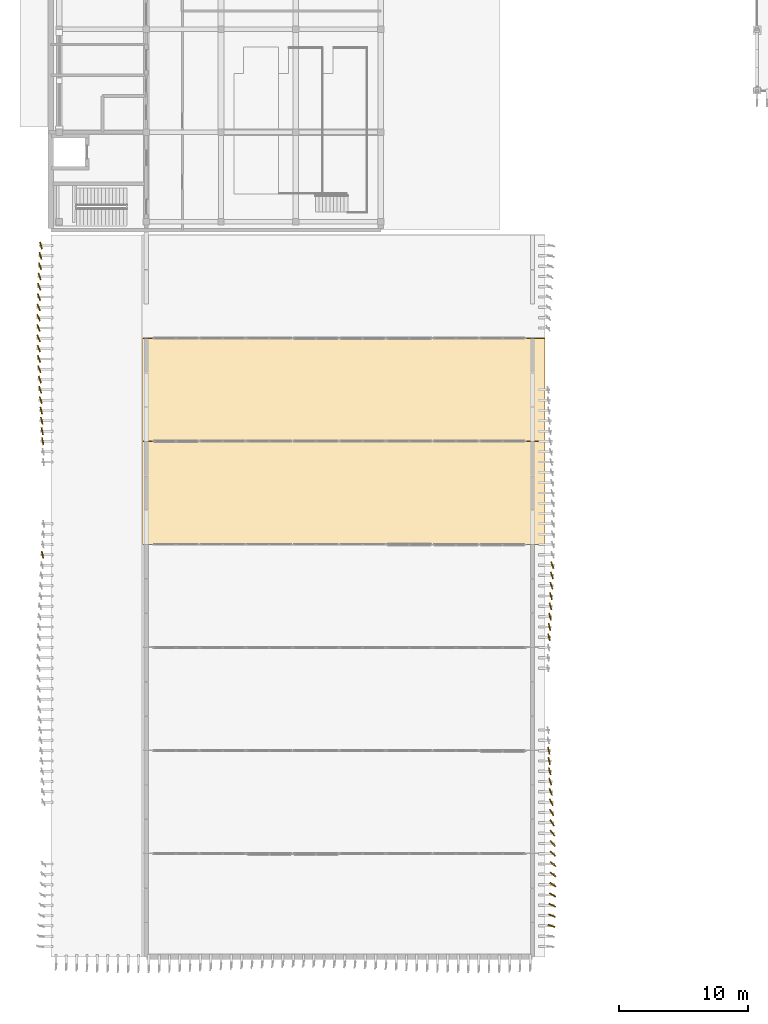
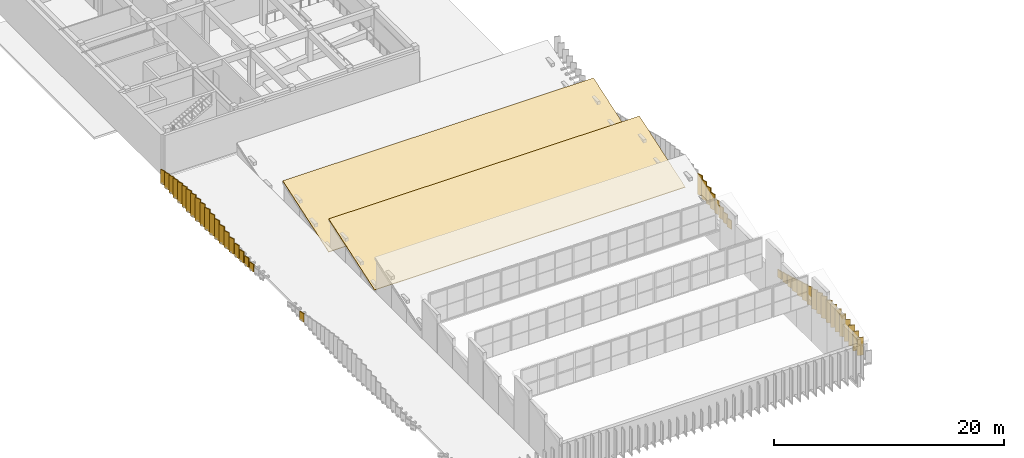
# One storey, part 37 of 45: 49 coverings.
"""IFC4 building model written with IfcOpenShell, lengths in metres."""

from ifc_helpers import new_model, si_unit, direction, frame, origin, origin_2d, place, context, subcontext, project, spatial, polyline, rectangle, outline, extrude, material, layer, layer_set, type_object, element, save


model = new_model("IFC4")

# Units and contexts
model_context = context("Model", 3, precision=1e-05, world=origin(), true_north=direction((0.0, 1.0)))
body_context = subcontext(model_context, "Body", "Model", "MODEL_VIEW")
ifc_project = project(units=[si_unit("LENGTHUNIT", "METRE"), si_unit("AREAUNIT", "SQUARE_METRE"), si_unit("VOLUMEUNIT", "CUBIC_METRE"), si_unit("PLANEANGLEUNIT", "RADIAN"), si_unit("MASSUNIT", "GRAM", prefix="KILO")], contexts=[model_context])

# Site, building, storey
site_placement = place(None, origin())
site = spatial("IfcSite", under=ifc_project, at=site_placement, CompositionType="ELEMENT")
building_placement = place(site_placement, origin())
building = spatial("IfcBuilding", under=site, at=building_placement, Name="Cinchona Park Media Centre", CompositionType="ELEMENT")
storey_placement = place(building_placement, frame((0.0, 0.0, 20.39990234375)))
storey = spatial("IfcBuildingStorey", under=building, at=storey_placement, Name="L04", CompositionType="ELEMENT", Elevation=20.39990234375)

# Coverings
ifc_material_1 = material(Name="Anodised Storm-Resistant Aluminium Fin", Category="aluminium")
ifc_layer_1 = layer(ifc_material_1, 0.090087890625)
ifc_layer_set_1 = layer_set([ifc_layer_1], Name="Anodised Storm-Resistant Aluminium Fin")
covering_type_1 = type_object("IfcCoveringType", Name="CLADDING-FIN01", PredefinedType="CLADDING", material=ifc_layer_set_1)
covering_1_placement = place(storey_placement, frame((7.22998046875, 62.800048828125, 0.0), z_axis=(0.0, 0.0, 1.0), x_axis=(0.270096344686, -0.962833300518, 0.0)))
element("IfcCovering", 1, at=covering_1_placement, inside=storey, type_object=covering_type_1, Name="Twisting Vertical Facade Fin L04", PredefinedType="CLADDING", context=body_context, shape_type="SweptSolid", body=[
    extrude(rectangle(XDim=0.56005859375, YDim=0.090087890625, at=origin_2d()), origin(), (0.0, 0.0, 1.0), 1.501953125),
])
covering_2_placement = place(storey_placement, frame((7.19091796875, 62.0, 0.0), z_axis=(0.0, 0.0, 1.0), x_axis=(0.291870944669, -0.956457710334, 0.0)))
element("IfcCovering", 2, at=covering_2_placement, inside=storey, type_object=covering_type_1, Name="Twisting Vertical Facade Fin L04", PredefinedType="CLADDING", context=body_context, shape_type="SweptSolid", body=[
    extrude(rectangle(XDim=0.56005859375, YDim=0.090087890625, at=origin_2d()), origin(), (0.0, 0.0, 1.0), 1.701904296875),
])
covering_3_placement = place(storey_placement, frame((7.154052734375, 61.199951171875, 0.00048828125), z_axis=(0.0, 0.0, 1.0), x_axis=(0.312500715155, -0.949917524329, 0.0)))
element("IfcCovering", 3, at=covering_3_placement, inside=storey, type_object=covering_type_1, Name="Twisting Vertical Facade Fin L04", PredefinedType="CLADDING", context=body_context, shape_type="SweptSolid", body=[
    extrude(rectangle(XDim=0.56005859375, YDim=0.090087890625, at=origin_2d()), origin(), (0.0, 0.0, 1.0), 1.89111328125),
])
covering_4_placement = place(storey_placement, frame((7.1201171875, 60.39990234375, -0.00048828125), z_axis=(0.0, 0.0, 1.0), x_axis=(0.331008520407, -0.943627765286, 0.0)))
element("IfcCovering", 4, at=covering_4_placement, inside=storey, type_object=covering_type_1, Name="Twisting Vertical Facade Fin L04", PredefinedType="CLADDING", context=body_context, shape_type="SweptSolid", body=[
    extrude(rectangle(XDim=0.56005859375, YDim=0.090087890625, at=origin_2d()), origin(), (0.0, 0.0, 1.0), 2.06298828125),
])
covering_5_placement = place(storey_placement, frame((7.091064453125, 59.60009765625, -0.00048828125), z_axis=(0.0, 0.0, 1.0), x_axis=(0.346771953791, -0.937949472021, 0.0)))
element("IfcCovering", 5, at=covering_5_placement, inside=storey, type_object=covering_type_1, Name="Twisting Vertical Facade Fin L04", PredefinedType="CLADDING", context=body_context, shape_type="SweptSolid", body=[
    extrude(rectangle(XDim=0.56005859375, YDim=0.090087890625, at=origin_2d()), origin(), (0.0, 0.0, 1.0), 2.2109375),
])
covering_6_placement = place(storey_placement, frame((7.068115234375, 58.800048828125, -0.00048828125), z_axis=(0.0, 0.0, 1.0), x_axis=(0.359345396006, -0.933204632634, 0.0)))
element("IfcCovering", 6, at=covering_6_placement, inside=storey, type_object=covering_type_1, Name="Twisting Vertical Facade Fin L04", PredefinedType="CLADDING", context=body_context, shape_type="SweptSolid", body=[
    extrude(rectangle(XDim=0.56005859375, YDim=0.090087890625, at=origin_2d()), origin(), (0.0, 0.0, 1.0), 2.3291015625),
])
covering_7_placement = place(storey_placement, frame((7.052001953125, 58.0, 0.0), z_axis=(0.0, 0.0, 1.0), x_axis=(0.36844908347, -0.929647929536, 0.0)))
element("IfcCovering", 7, at=covering_7_placement, inside=storey, type_object=covering_type_1, Name="Twisting Vertical Facade Fin L04", PredefinedType="CLADDING", context=body_context, shape_type="SweptSolid", body=[
    extrude(rectangle(XDim=0.56005859375, YDim=0.090087890625, at=origin_2d()), origin(), (0.0, 0.0, 1.0), 2.4140625),
])
covering_8_placement = place(storey_placement, frame((7.0419921875, 57.199951171875, 0.000244140625), z_axis=(0.0, 0.0, 1.0), x_axis=(0.373473545352, -0.927640830776, 0.0)))
element("IfcCovering", 8, at=covering_8_placement, inside=storey, type_object=covering_type_1, Name="Twisting Vertical Facade Fin L04", PredefinedType="CLADDING", context=body_context, shape_type="SweptSolid", body=[
    extrude(rectangle(XDim=0.56005859375, YDim=0.090087890625, at=origin_2d()), origin(), (0.0, 0.0, 1.0), 2.4619140625),
])
covering_9_placement = place(storey_placement, frame((7.0400390625, 56.39990234375, 0.00048828125), z_axis=(0.0, 0.0, 1.0), x_axis=(0.374444763601, -0.927249221629, 0.0)))
element("IfcCovering", 9, at=covering_9_placement, inside=storey, type_object=covering_type_1, Name="Twisting Vertical Facade Fin L04", PredefinedType="CLADDING", context=body_context, shape_type="SweptSolid", body=[
    extrude(rectangle(XDim=0.56005859375, YDim=0.090087890625, at=origin_2d()), origin(), (0.0, 0.0, 1.0), 2.470947265625),
])
covering_10_placement = place(storey_placement, frame((7.0458984375, 55.60009765625, 0.000244140625), z_axis=(0.0, 0.0, 1.0), x_axis=(0.37136783555, -0.928485826881, 0.0)))
element("IfcCovering", 10, at=covering_10_placement, inside=storey, type_object=covering_type_1, Name="Twisting Vertical Facade Fin L04", PredefinedType="CLADDING", context=body_context, shape_type="SweptSolid", body=[
    extrude(rectangle(XDim=0.56005859375, YDim=0.090087890625, at=origin_2d()), origin(), (0.0, 0.0, 1.0), 2.44189453125),
])
covering_11_placement = place(storey_placement, frame((7.05908203125, 54.800048828125, 0.0), z_axis=(0.0, 0.0, 1.0), x_axis=(0.364389234658, -0.931246737264, 0.0)))
element("IfcCovering", 11, at=covering_11_placement, inside=storey, type_object=covering_type_1, Name="Twisting Vertical Facade Fin L04", PredefinedType="CLADDING", context=body_context, shape_type="SweptSolid", body=[
    extrude(rectangle(XDim=0.56005859375, YDim=0.090087890625, at=origin_2d()), origin(), (0.0, 0.0, 1.0), 2.3759765625),
])
covering_12_placement = place(storey_placement, frame((7.0791015625, 54.0, 0.000244140625), z_axis=(0.0, 0.0, 1.0), x_axis=(0.353474843779, -0.93544403083, 0.0)))
element("IfcCovering", 12, at=covering_12_placement, inside=storey, type_object=covering_type_1, Name="Twisting Vertical Facade Fin L04", PredefinedType="CLADDING", context=body_context, shape_type="SweptSolid", body=[
    extrude(rectangle(XDim=0.56005859375, YDim=0.090087890625, at=origin_2d()), origin(), (0.0, 0.0, 1.0), 2.27392578125),
])
covering_13_placement = place(storey_placement, frame((7.10498046875, 53.199951171875, 0.0), z_axis=(0.0, 0.0, 1.0), x_axis=(0.339230517808, -0.940703277228, 0.0)))
element("IfcCovering", 13, at=covering_13_placement, inside=storey, type_object=covering_type_1, Name="Twisting Vertical Facade Fin L04", PredefinedType="CLADDING", context=body_context, shape_type="SweptSolid", body=[
    extrude(rectangle(XDim=0.56005859375, YDim=0.090087890625, at=origin_2d()), origin(), (0.0, 0.0, 1.0), 2.139892578125),
])
covering_14_placement = place(storey_placement, frame((7.135986328125, 52.39990234375, 0.0), z_axis=(0.0, 0.0, 1.0), x_axis=(0.321935232675, -0.946761694389, 0.0)))
element("IfcCovering", 14, at=covering_14_placement, inside=storey, type_object=covering_type_1, Name="Twisting Vertical Facade Fin L04", PredefinedType="CLADDING", context=body_context, shape_type="SweptSolid", body=[
    extrude(rectangle(XDim=0.56005859375, YDim=0.090087890625, at=origin_2d()), origin(), (0.0, 0.0, 1.0), 1.97998046875),
])
covering_15_placement = place(storey_placement, frame((7.172119140625, 51.60009765625, 0.00048828125), z_axis=(0.0, 0.0, 1.0), x_axis=(0.30236989075, -0.953190667793, 0.0)))
element("IfcCovering", 15, at=covering_15_placement, inside=storey, type_object=covering_type_1, Name="Twisting Vertical Facade Fin L04", PredefinedType="CLADDING", context=body_context, shape_type="SweptSolid", body=[
    extrude(rectangle(XDim=0.56005859375, YDim=0.090087890625, at=origin_2d()), origin(), (0.0, 0.0, 1.0), 1.799072265625),
])
covering_16_placement = place(storey_placement, frame((7.2099609375, 50.800048828125, -0.00048828125), z_axis=(0.0, 0.0, 1.0), x_axis=(0.281001727065, -0.959707262339, 0.0)))
element("IfcCovering", 16, at=covering_16_placement, inside=storey, type_object=covering_type_1, Name="Twisting Vertical Facade Fin L04", PredefinedType="CLADDING", context=body_context, shape_type="SweptSolid", body=[
    extrude(rectangle(XDim=0.56005859375, YDim=0.090087890625, at=origin_2d()), origin(), (0.0, 0.0, 1.0), 1.60302734375),
])
covering_17_placement = place(storey_placement, frame((7.25, 50.0, 0.000244140625), z_axis=(0.0, 0.0, 1.0), x_axis=(0.258819045103, -0.965925826289, 0.0)))
element("IfcCovering", 17, at=covering_17_placement, inside=storey, type_object=covering_type_1, Name="Twisting Vertical Facade Fin L04", PredefinedType="CLADDING", context=body_context, shape_type="SweptSolid", body=[
    extrude(rectangle(XDim=0.56005859375, YDim=0.090087890625, at=origin_2d()), origin(), (0.0, 0.0, 1.0), 1.39990234375),
])
covering_18_placement = place(storey_placement, frame((7.2900390625, 49.199951171875, -0.00048828125), z_axis=(0.0, 0.0, 1.0), x_axis=(0.236498997024, -0.971631732915, 0.0)))
element("IfcCovering", 18, at=covering_18_placement, inside=storey, type_object=covering_type_1, Name="Twisting Vertical Facade Fin L04", PredefinedType="CLADDING", context=body_context, shape_type="SweptSolid", body=[
    extrude(rectangle(XDim=0.56005859375, YDim=0.090087890625, at=origin_2d()), origin(), (0.0, 0.0, 1.0), 1.197021484375),
])
covering_19_placement = place(storey_placement, frame((7.327880859375, 48.39990234375, 0.00048828125), z_axis=(0.0, 0.0, 1.0), x_axis=(0.214735327167, -0.976672278334, 0.0)))
element("IfcCovering", 19, at=covering_19_placement, inside=storey, type_object=covering_type_1, Name="Twisting Vertical Facade Fin L04", PredefinedType="CLADDING", context=body_context, shape_type="SweptSolid", body=[
    extrude(rectangle(XDim=0.56005859375, YDim=0.090087890625, at=origin_2d()), origin(), (0.0, 0.0, 1.0), 1.0009765625),
])
covering_20_placement = place(storey_placement, frame((7.364013671875, 47.60009765625, 0.0), z_axis=(0.0, 0.0, 1.0), x_axis=(0.194576757325, -0.980887295008, 0.0)))
element("IfcCovering", 20, at=covering_20_placement, inside=storey, type_object=covering_type_1, Name="Twisting Vertical Facade Fin L04", PredefinedType="CLADDING", context=body_context, shape_type="SweptSolid", body=[
    extrude(rectangle(XDim=0.56005859375, YDim=0.090087890625, at=origin_2d()), origin(), (0.0, 0.0, 1.0), 0.820068359375),
])
covering_21_placement = place(storey_placement, frame((7.345947265625, 38.800048828125, 0.00048828125), z_axis=(0.0, 0.0, 1.0), x_axis=(0.204325204139, -0.978903065147, 0.0)))
element("IfcCovering", 21, at=covering_21_placement, inside=storey, type_object=covering_type_1, Name="Twisting Vertical Facade Fin L04", PredefinedType="CLADDING", context=body_context, shape_type="SweptSolid", body=[
    extrude(rectangle(XDim=0.56005859375, YDim=0.090087890625, at=origin_2d()), origin(), (0.0, 0.0, 1.0), 0.908935546875),
])
covering_22_placement = place(storey_placement, frame((46.845947265625, 10.0, 0.00048828125), z_axis=(0.0, 0.0, 1.0), x_axis=(-0.943454320287, 0.331502557353, 0.0)))
element("IfcCovering", 22, at=covering_22_placement, inside=storey, type_object=covering_type_1, Name="Twisting Vertical Facade Fin L04", PredefinedType="CLADDING", context=body_context, shape_type="SweptSolid", body=[
    extrude(rectangle(XDim=0.56005859375, YDim=0.090087890625, at=origin_2d()), origin(), (0.0, 0.0, 1.0), 1.89111328125),
])
covering_23_placement = place(storey_placement, frame((46.8798828125, 10.800048828125, -0.00048828125), z_axis=(0.0, 0.0, 1.0), x_axis=(-0.919821497322, 0.392337116604, 0.0)))
element("IfcCovering", 23, at=covering_23_placement, inside=storey, type_object=covering_type_1, Name="Twisting Vertical Facade Fin L04", PredefinedType="CLADDING", context=body_context, shape_type="SweptSolid", body=[
    extrude(rectangle(XDim=0.56005859375, YDim=0.090087890625, at=origin_2d()), origin(), (0.0, 0.0, 1.0), 2.06298828125),
])
covering_24_placement = place(storey_placement, frame((46.908935546875, 11.60009765625, -0.00048828125), z_axis=(0.0, 0.0, 1.0), x_axis=(-0.89219201375, 0.451656296979, 0.0)))
element("IfcCovering", 24, at=covering_24_placement, inside=storey, type_object=covering_type_1, Name="Twisting Vertical Facade Fin L04", PredefinedType="CLADDING", context=body_context, shape_type="SweptSolid", body=[
    extrude(rectangle(XDim=0.56005859375, YDim=0.090087890625, at=origin_2d()), origin(), (0.0, 0.0, 1.0), 2.2109375),
])
covering_25_placement = place(storey_placement, frame((46.931884765625, 12.39990234375, -0.00048828125), z_axis=(0.0, 0.0, 1.0), x_axis=(-0.860830858381, 0.508891180174, 0.0)))
element("IfcCovering", 25, at=covering_25_placement, inside=storey, type_object=covering_type_1, Name="Twisting Vertical Facade Fin L04", PredefinedType="CLADDING", context=body_context, shape_type="SweptSolid", body=[
    extrude(rectangle(XDim=0.56005859375, YDim=0.090087890625, at=origin_2d()), origin(), (0.0, 0.0, 1.0), 2.3291015625),
])
covering_26_placement = place(storey_placement, frame((46.947998046875, 13.199951171875, 0.0), z_axis=(0.0, 0.0, 1.0), x_axis=(-0.825704677814, 0.56410263697, 0.0)))
element("IfcCovering", 26, at=covering_26_placement, inside=storey, type_object=covering_type_1, Name="Twisting Vertical Facade Fin L04", PredefinedType="CLADDING", context=body_context, shape_type="SweptSolid", body=[
    extrude(rectangle(XDim=0.56005859375, YDim=0.090087890625, at=origin_2d()), origin(), (0.0, 0.0, 1.0), 2.4140625),
])
covering_27_placement = place(storey_placement, frame((46.9580078125, 14.0, 0.000244140625), z_axis=(0.0, 0.0, 1.0), x_axis=(-0.787150360167, 0.616761145412, 0.0)))
element("IfcCovering", 27, at=covering_27_placement, inside=storey, type_object=covering_type_1, Name="Twisting Vertical Facade Fin L04", PredefinedType="CLADDING", context=body_context, shape_type="SweptSolid", body=[
    extrude(rectangle(XDim=0.56005859375, YDim=0.090087890625, at=origin_2d()), origin(), (0.0, 0.0, 1.0), 2.4619140625),
])
covering_28_placement = place(storey_placement, frame((46.9599609375, 14.800048828125, 0.00048828125), z_axis=(0.0, 0.0, 1.0), x_axis=(-0.745243290547, 0.66679264985, 0.0)))
element("IfcCovering", 28, at=covering_28_placement, inside=storey, type_object=covering_type_1, Name="Twisting Vertical Facade Fin L04", PredefinedType="CLADDING", context=body_context, shape_type="SweptSolid", body=[
    extrude(rectangle(XDim=0.56005859375, YDim=0.090087890625, at=origin_2d()), origin(), (0.0, 0.0, 1.0), 2.470947265625),
])
covering_29_placement = place(storey_placement, frame((46.9541015625, 15.60009765625, 0.000244140625), z_axis=(0.0, 0.0, 1.0), x_axis=(-0.700037341608, 0.714106238843, 0.0)))
element("IfcCovering", 29, at=covering_29_placement, inside=storey, type_object=covering_type_1, Name="Twisting Vertical Facade Fin L04", PredefinedType="CLADDING", context=body_context, shape_type="SweptSolid", body=[
    extrude(rectangle(XDim=0.56005859375, YDim=0.090087890625, at=origin_2d()), origin(), (0.0, 0.0, 1.0), 2.44189453125),
])
covering_30_placement = place(storey_placement, frame((46.94091796875, 16.39990234375, 0.0), z_axis=(0.0, 0.0, 1.0), x_axis=(-0.651966074496, 0.758248137292, 0.0)))
element("IfcCovering", 30, at=covering_30_placement, inside=storey, type_object=covering_type_1, Name="Twisting Vertical Facade Fin L04", PredefinedType="CLADDING", context=body_context, shape_type="SweptSolid", body=[
    extrude(rectangle(XDim=0.56005859375, YDim=0.090087890625, at=origin_2d()), origin(), (0.0, 0.0, 1.0), 2.3759765625),
])
covering_31_placement = place(storey_placement, frame((46.9208984375, 17.199951171875, 0.000244140625), z_axis=(0.0, 0.0, 1.0), x_axis=(-0.600978364173, 0.79926529125, 0.0)))
element("IfcCovering", 31, at=covering_31_placement, inside=storey, type_object=covering_type_1, Name="Twisting Vertical Facade Fin L04", PredefinedType="CLADDING", context=body_context, shape_type="SweptSolid", body=[
    extrude(rectangle(XDim=0.56005859375, YDim=0.090087890625, at=origin_2d()), origin(), (0.0, 0.0, 1.0), 2.27392578125),
])
covering_32_placement = place(storey_placement, frame((46.89501953125, 18.0, 0.0), z_axis=(0.0, 0.0, 1.0), x_axis=(-0.547563223493, 0.836764313459, 0.0)))
element("IfcCovering", 32, at=covering_32_placement, inside=storey, type_object=covering_type_1, Name="Twisting Vertical Facade Fin L04", PredefinedType="CLADDING", context=body_context, shape_type="SweptSolid", body=[
    extrude(rectangle(XDim=0.56005859375, YDim=0.090087890625, at=origin_2d()), origin(), (0.0, 0.0, 1.0), 2.139892578125),
])
covering_33_placement = place(storey_placement, frame((46.864013671875, 18.800048828125, 0.0), z_axis=(0.0, 0.0, 1.0), x_axis=(-0.49181581725, 0.870699260309, 0.0)))
element("IfcCovering", 33, at=covering_33_placement, inside=storey, type_object=covering_type_1, Name="Twisting Vertical Facade Fin L04", PredefinedType="CLADDING", context=body_context, shape_type="SweptSolid", body=[
    extrude(rectangle(XDim=0.56005859375, YDim=0.090087890625, at=origin_2d()), origin(), (0.0, 0.0, 1.0), 1.97998046875),
])
covering_34_placement = place(storey_placement, frame((46.827880859375, 19.60009765625, 0.00048828125), z_axis=(0.0, 0.0, 1.0), x_axis=(-0.43381634559, 0.90100131981, 0.0)))
element("IfcCovering", 34, at=covering_34_placement, inside=storey, type_object=covering_type_1, Name="Twisting Vertical Facade Fin L04", PredefinedType="CLADDING", context=body_context, shape_type="SweptSolid", body=[
    extrude(rectangle(XDim=0.56005859375, YDim=0.090087890625, at=origin_2d()), origin(), (0.0, 0.0, 1.0), 1.799072265625),
])
covering_35_placement = place(storey_placement, frame((46.7900390625, 20.39990234375, -0.00048828125), z_axis=(0.0, 0.0, 1.0), x_axis=(-0.374121069757, 0.927379871015, 0.0)))
element("IfcCovering", 35, at=covering_35_placement, inside=storey, type_object=covering_type_1, Name="Twisting Vertical Facade Fin L04", PredefinedType="CLADDING", context=body_context, shape_type="SweptSolid", body=[
    extrude(rectangle(XDim=0.56005859375, YDim=0.090087890625, at=origin_2d()), origin(), (0.0, 0.0, 1.0), 1.60302734375),
])
covering_36_placement = place(storey_placement, frame((46.75, 21.199951171875, 0.000244140625), z_axis=(0.0, 0.0, 1.0), x_axis=(-0.312666502279, 0.949862968197, 0.0)))
element("IfcCovering", 36, at=covering_36_placement, inside=storey, type_object=covering_type_1, Name="Twisting Vertical Facade Fin L04", PredefinedType="CLADDING", context=body_context, shape_type="SweptSolid", body=[
    extrude(rectangle(XDim=0.56005859375, YDim=0.090087890625, at=origin_2d()), origin(), (0.0, 0.0, 1.0), 1.39990234375),
])
covering_37_placement = place(storey_placement, frame((46.7099609375, 22.0, -0.00048828125), z_axis=(0.0, 0.0, 1.0), x_axis=(-0.239550296042, 0.970883955819, 0.0)))
element("IfcCovering", 37, at=covering_37_placement, inside=storey, type_object=covering_type_1, Name="Twisting Vertical Facade Fin L04", PredefinedType="CLADDING", context=body_context, shape_type="SweptSolid", body=[
    extrude(rectangle(XDim=0.56005859375, YDim=0.090087890625, at=origin_2d()), origin(), (0.0, 0.0, 1.0), 1.197021484375),
])
covering_38_placement = place(storey_placement, frame((46.672119140625, 22.800048828125, 0.00048828125), z_axis=(0.0, 0.0, 1.0), x_axis=(-0.221037880265, 0.975265223151, 0.0)))
element("IfcCovering", 38, at=covering_38_placement, inside=storey, type_object=covering_type_1, Name="Twisting Vertical Facade Fin L04", PredefinedType="CLADDING", context=body_context, shape_type="SweptSolid", body=[
    extrude(rectangle(XDim=0.56005859375, YDim=0.090087890625, at=origin_2d()), origin(), (0.0, 0.0, 1.0), 1.0009765625),
])
covering_39_placement = place(storey_placement, frame((46.635986328125, 23.60009765625, 0.0), z_axis=(0.0, 0.0, 1.0), x_axis=(-0.203812623708, 0.979009915383, 0.0)))
element("IfcCovering", 39, at=covering_39_placement, inside=storey, type_object=covering_type_1, Name="Twisting Vertical Facade Fin L04", PredefinedType="CLADDING", context=body_context, shape_type="SweptSolid", body=[
    extrude(rectangle(XDim=0.56005859375, YDim=0.090087890625, at=origin_2d()), origin(), (0.0, 0.0, 1.0), 0.820068359375),
])
covering_40_placement = place(storey_placement, frame((46.654052734375, 32.39990234375, 0.00048828125), z_axis=(0.0, 0.0, 1.0), x_axis=(-0.212177672156, 0.977231106463, 0.0)))
element("IfcCovering", 40, at=covering_40_placement, inside=storey, type_object=covering_type_1, Name="Twisting Vertical Facade Fin L04", PredefinedType="CLADDING", context=body_context, shape_type="SweptSolid", body=[
    extrude(rectangle(XDim=0.56005859375, YDim=0.090087890625, at=origin_2d()), origin(), (0.0, 0.0, 1.0), 0.908935546875),
])
covering_41_placement = place(storey_placement, frame((46.69091796875, 33.199951171875, 0.0), z_axis=(0.0, 0.0, 1.0), x_axis=(-0.230219585439, 0.973138706701, 0.0)))
element("IfcCovering", 41, at=covering_41_placement, inside=storey, type_object=covering_type_1, Name="Twisting Vertical Facade Fin L04", PredefinedType="CLADDING", context=body_context, shape_type="SweptSolid", body=[
    extrude(rectangle(XDim=0.56005859375, YDim=0.090087890625, at=origin_2d()), origin(), (0.0, 0.0, 1.0), 1.097900390625),
])
covering_42_placement = place(storey_placement, frame((46.72998046875, 34.0, 0.0), z_axis=(0.0, 0.0, 1.0), x_axis=(-0.249197002009, 0.968452814643, 0.0)))
element("IfcCovering", 42, at=covering_42_placement, inside=storey, type_object=covering_type_1, Name="Twisting Vertical Facade Fin L04", PredefinedType="CLADDING", context=body_context, shape_type="SweptSolid", body=[
    extrude(rectangle(XDim=0.56005859375, YDim=0.090087890625, at=origin_2d()), origin(), (0.0, 0.0, 1.0), 1.298095703125),
])
covering_43_placement = place(storey_placement, frame((46.77001953125, 34.800048828125, 0.0), z_axis=(0.0, 0.0, 1.0), x_axis=(-0.268415473035, 0.963303240852, 0.0)))
element("IfcCovering", 43, at=covering_43_placement, inside=storey, type_object=covering_type_1, Name="Twisting Vertical Facade Fin L04", PredefinedType="CLADDING", context=body_context, shape_type="SweptSolid", body=[
    extrude(rectangle(XDim=0.56005859375, YDim=0.090087890625, at=origin_2d()), origin(), (0.0, 0.0, 1.0), 1.501953125),
])
covering_44_placement = place(storey_placement, frame((46.80908203125, 35.60009765625, 0.0), z_axis=(0.0, 0.0, 1.0), x_axis=(-0.287193343912, 0.957872634129, 0.0)))
element("IfcCovering", 44, at=covering_44_placement, inside=storey, type_object=covering_type_1, Name="Twisting Vertical Facade Fin L04", PredefinedType="CLADDING", context=body_context, shape_type="SweptSolid", body=[
    extrude(rectangle(XDim=0.56005859375, YDim=0.090087890625, at=origin_2d()), origin(), (0.0, 0.0, 1.0), 1.701904296875),
])
covering_45_placement = place(storey_placement, frame((46.845947265625, 36.39990234375, 0.00048828125), z_axis=(0.0, 0.0, 1.0), x_axis=(-0.304864299028, 0.952395799643, 0.0)))
element("IfcCovering", 45, at=covering_45_placement, inside=storey, type_object=covering_type_1, Name="Twisting Vertical Facade Fin L04", PredefinedType="CLADDING", context=body_context, shape_type="SweptSolid", body=[
    extrude(rectangle(XDim=0.56005859375, YDim=0.090087890625, at=origin_2d()), origin(), (0.0, 0.0, 1.0), 1.89111328125),
])
covering_46_placement = place(storey_placement, frame((46.8798828125, 37.199951171875, -0.00048828125), z_axis=(0.0, 0.0, 1.0), x_axis=(-0.320778305082, 0.947154305796, 0.0)))
element("IfcCovering", 46, at=covering_46_placement, inside=storey, type_object=covering_type_1, Name="Twisting Vertical Facade Fin L04", PredefinedType="CLADDING", context=body_context, shape_type="SweptSolid", body=[
    extrude(rectangle(XDim=0.56005859375, YDim=0.090087890625, at=origin_2d()), origin(), (0.0, 0.0, 1.0), 2.06298828125),
])
covering_47_placement = place(storey_placement, frame((46.908935546875, 38.0, -0.00048828125), z_axis=(0.0, 0.0, 1.0), x_axis=(-0.334300379384, 0.942466581022, 0.0)))
element("IfcCovering", 47, at=covering_47_placement, inside=storey, type_object=covering_type_1, Name="Twisting Vertical Facade Fin L04", PredefinedType="CLADDING", context=body_context, shape_type="SweptSolid", body=[
    extrude(rectangle(XDim=0.56005859375, YDim=0.090087890625, at=origin_2d()), origin(), (0.0, 0.0, 1.0), 2.2109375),
])
ifc_material_2 = material(Name="Standing Seam Insulated Steel Roofing", Category="steel")
ifc_layer_2 = layer(ifc_material_2, 0.080078125)
ifc_layer_set_2 = layer_set([ifc_layer_2], Name="Standing Seam Insulated Steel Roofing")
covering_type_2 = type_object("IfcCoveringType", Name="COVERING-ROOF01", PredefinedType="ROOFING", material=ifc_layer_set_2)
for number, where, z_axis, x_axis, name in (
    (48, (15.10009765625, 39.60009765625, 0.09716796875), (0.0, -0.319773452474, 0.947494031165), (1.0, 0.0, 0.0), "Standing Seam Roof Covering V1 Bay 5"),
    (49, (15.10009765625, 47.60009765625, -0.702880859375), (0.0, -0.319773452474, 0.947494031165), (1.0, 0.0, 0.0), "Standing Seam Roof Covering V1 Bay 6"),
):
    element("IfcCovering", number, at=place(storey_placement, frame(where, z_axis=z_axis, x_axis=x_axis)), inside=storey, type_object=covering_type_2, Name=name, PredefinedType="ROOFING", context=body_context, shape_type="SweptSolid", body=[
        extrude(outline(polyline([(0.0, 0.0), (31.25, 0.0), (31.25, 8.443324957059819), (0.0, 8.443324957059819), (0.0, 0.0)])), origin(), (0.0, 0.0, -1.0), 0.080078125),
    ])

save(model, "model.ifc")
